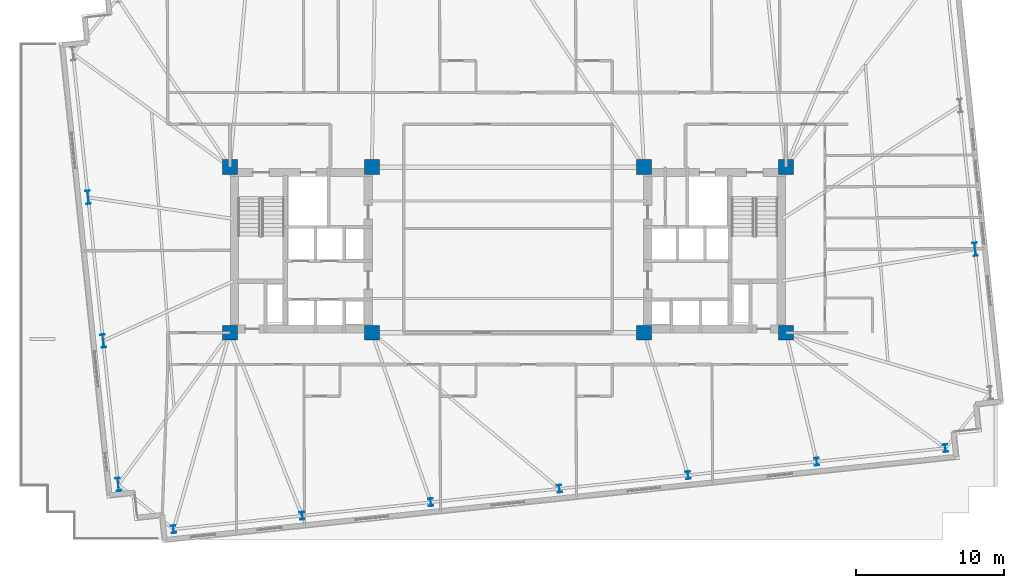
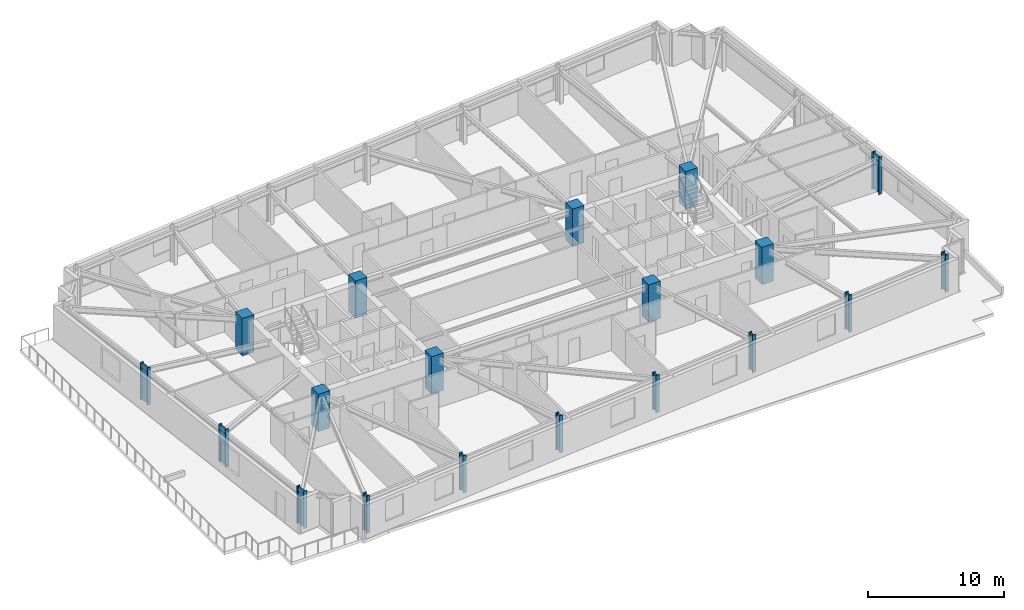
# One storey, part 1 of 20: 19 columns.
"""IFC4 building model written with IfcOpenShell, lengths in metres."""

import ifcopenshell
import ifcopenshell.guid

model = None  # the IFC model being written
_history = None  # IfcOwnerHistory: only IFC2X3 demands one
_inside = {}  # id of a spatial element -> (the spatial element, [elements in it])
_under = {}  # id of a project, library or spatial element -> (it, [spatial elements below it])
_declared = {}  # id of a project -> (the project, [libraries it declares])
_typed = {}  # id of a type object -> (the type object, [elements of that type])
_made_of = {}  # id of a material, layer set ... -> (it, [elements and type objects made of it])


def new_model(schema):
    """Start an empty IFC model of exactly this schema.

    Asked for "IFC4X3", IfcOpenShell would pick the latest addendum, in which some entities
    have other attributes; the version numbers below select the first issue.
    IFC2X3 requires an IfcOwnerHistory on every rooted entity: one is made here for all.
    """
    global model, _history
    if schema == "IFC4X3":
        model = ifcopenshell.file(schema_version=(4, 3, 0, 0))
    else:
        model = ifcopenshell.file(schema=schema)
    _inside.clear()
    _under.clear()
    _declared.clear()
    _typed.clear()
    _made_of.clear()
    _history = None
    if model.schema == "IFC2X3":
        org = make("IfcOrganization", Name="unknown")
        user = make(
            "IfcPersonAndOrganization",
            ThePerson=make("IfcPerson", FamilyName="unknown"),
            TheOrganization=org,
        )
        app = make(
            "IfcApplication",
            ApplicationDeveloper=org,
            Version="unknown",
            ApplicationFullName="unknown",
            ApplicationIdentifier="unknown",
        )
        _history = make(
            "IfcOwnerHistory",
            OwningUser=user,
            OwningApplication=app,
            ChangeAction="ADDED",
            CreationDate=0,
        )
    return model


def make(cls, **values):
    """One entity of the class cls with the attributes given. An attribute that is None is left unset."""
    return model.create_entity(
        cls, **{name: value for name, value in values.items() if value is not None}
    )


def rooted(cls, **values):
    """An entity with a GlobalId (a new one), such as an element, a storey or a relation."""
    return make(cls, GlobalId=ifcopenshell.guid.new(), OwnerHistory=_history, **values)


def si_unit(unit_type, name, prefix=None):
    """IfcSIUnit, for example si_unit("LENGTHUNIT", "METRE", prefix="MILLI")."""
    return make("IfcSIUnit", UnitType=unit_type, Prefix=prefix, Name=name)


def assignment(units):
    """IfcUnitAssignment: the units of a project."""
    return None if units is None else make("IfcUnitAssignment", Units=units)


def point(xyz):
    """IfcCartesianPoint."""
    return None if xyz is None else make("IfcCartesianPoint", Coordinates=xyz)


def direction(xyz):
    """IfcDirection."""
    return None if xyz is None else make("IfcDirection", DirectionRatios=xyz)


def frame(location, z_axis=None, x_axis=None):
    """IfcAxis2Placement3D, a coordinate frame: its origin and axes. An axis left out is left unset."""
    return make(
        "IfcAxis2Placement3D",
        Location=point(location),
        Axis=direction(z_axis),
        RefDirection=direction(x_axis),
    )


def frame_2d(location, x_axis=None):
    """IfcAxis2Placement2D, a coordinate frame in the plane: its origin and x axis."""
    return make(
        "IfcAxis2Placement2D", Location=point(location), RefDirection=direction(x_axis)
    )


def origin():
    """The frame at (0, 0, 0) with its axes left unset."""
    return frame((0.0, 0.0, 0.0))


def origin_2d():
    """The frame at (0, 0) in the plane with its x axis left unset."""
    return frame_2d((0.0, 0.0))


def place(relative_to, where):
    """IfcLocalPlacement: puts the frame where relative to a parent placement (None: the world)."""
    return make(
        "IfcLocalPlacement", PlacementRelTo=relative_to, RelativePlacement=where
    )


def context(
    kind, dimensions, precision=None, world=None, true_north=None, identifier=None
):
    """IfcGeometricRepresentationContext, for example the 3D "Model" context."""
    return make(
        "IfcGeometricRepresentationContext",
        ContextIdentifier=identifier,
        ContextType=kind,
        CoordinateSpaceDimension=dimensions,
        Precision=precision,
        WorldCoordinateSystem=world,
        TrueNorth=true_north,
    )


def subcontext(parent, identifier, kind, view, scale=None):
    """IfcGeometricRepresentationSubContext, for example "Body" below "Model"."""
    return make(
        "IfcGeometricRepresentationSubContext",
        ContextIdentifier=identifier,
        ContextType=kind,
        ParentContext=parent,
        TargetScale=scale,
        TargetView=view,
    )


def project(units=None, contexts=None):
    """IfcProject with its units and contexts."""
    return rooted(
        "IfcProject",
        Name="project",
        RepresentationContexts=contexts,
        UnitsInContext=assignment(units),
    )


def spatial(cls, under=None, at=None, **own):
    """A site, building, storey or space (cls), placed at a placement, below another one or the project."""
    s = rooted(cls, ObjectPlacement=at, **own)
    if under is not None:
        _under.setdefault(under.id(), (under, []))[1].append(s)
    return s


def profile(cls, at=None, kind="AREA", **sizes):
    """A parametric profile (cls). Its sizes go by their IFC names, for example OverallWidth=200.0."""
    return make(cls, ProfileType=kind, Position=at, **sizes)


def rectangle(**sizes):
    """IfcRectangleProfileDef."""
    return profile("IfcRectangleProfileDef", **sizes)


def i_section(**sizes):
    """IfcIShapeProfileDef."""
    return profile("IfcIShapeProfileDef", **sizes)


def extrude(swept, where, along, depth):
    """IfcExtrudedAreaSolid: the profile swept, set in the frame where, extruded along a direction by depth."""
    return make(
        "IfcExtrudedAreaSolid",
        SweptArea=swept,
        Position=where,
        ExtrudedDirection=direction(along),
        Depth=depth,
    )


def shape(context_of_items, identifier, shape_type, items):
    """IfcShapeRepresentation: the items that make up one representation, for example the "Body"."""
    return make(
        "IfcShapeRepresentation",
        ContextOfItems=context_of_items,
        RepresentationIdentifier=identifier,
        RepresentationType=shape_type,
        Items=items,
    )


def material(Name=None, Category=None):
    """IfcMaterial."""
    return make("IfcMaterial", Name=Name, Category=Category)


def material_profile(
    of_material, cross_section, Name=None, Category=None, Priority=None
):
    """IfcMaterialProfile: a cross section and its material."""
    return make(
        "IfcMaterialProfile",
        Name=Name,
        Material=of_material,
        Profile=cross_section,
        Priority=Priority,
        Category=Category,
    )


def profile_set(profiles, Name=None, composite=None):
    """IfcMaterialProfileSet."""
    return make(
        "IfcMaterialProfileSet",
        Name=Name,
        MaterialProfiles=profiles,
        CompositeProfile=composite,
    )


def made_of(thing, what):
    """Note that an element or type object is made of a material, layer set ...; save() writes the relation."""
    if what is not None:
        _made_of.setdefault(what.id(), (what, []))[1].append(thing)
    return thing


def type_object(cls, material=None, **own):
    """A type object (cls), such as IfcWallType, which elements share."""
    return made_of(rooted(cls, **own), material)


def element(
    cls,
    number,
    at=None,
    inside=None,
    cuts=None,
    type_object=None,
    material=None,
    context=None,
    identifier="Body",
    shape_type=None,
    held_by="IfcProductDefinitionShape",
    body=None,
    shapes=None,
    **own,
):
    """One element of the class cls, such as IfcWall. Its Tag is "e" and its number.

    at: its placement. inside: the storey or other place that contains it. cuts: it is an
    opening in that element (IfcRelVoidsElement). A single representation is given by context,
    identifier, shape_type and body (its items); several are given by shapes. held_by: the class
    of the entity that holds the representations. save() writes the other relations.
    """
    e = rooted(cls, Tag="e%d" % number, ObjectPlacement=at, **own)
    if body is not None:
        shapes = [shape(context, identifier, shape_type, body)]
    if shapes is not None:
        e.Representation = make(held_by, Representations=shapes)
    if inside is not None:
        _inside.setdefault(inside.id(), (inside, []))[1].append(e)
    if cuts is not None:
        rooted(
            "IfcRelVoidsElement", RelatingBuildingElement=cuts, RelatedOpeningElement=e
        )
    if type_object is not None:
        _typed.setdefault(type_object.id(), (type_object, []))[1].append(e)
    return made_of(e, material)


def aggregate(whole, parts):
    """IfcRelAggregates: a whole, such as a stair, and the parts it consists of."""
    return rooted("IfcRelAggregates", RelatingObject=whole, RelatedObjects=parts)


def save(model, path):
    """Write the relations noted so far, then the file.

    IfcRelAggregates (storeys below a building ...), IfcRelContainedInSpatialStructure (elements
    in a storey), IfcRelDefinesByType, IfcRelAssociatesMaterial and IfcRelDeclares: one each for
    every whole, place, type object, material and project.
    """
    for whole, parts in _under.values():
        aggregate(whole, parts)
    for where, things in _inside.values():
        rooted(
            "IfcRelContainedInSpatialStructure",
            RelatedElements=things,
            RelatingStructure=where,
        )
    for kind, things in _typed.values():
        rooted("IfcRelDefinesByType", RelatedObjects=things, RelatingType=kind)
    for what, things in _made_of.values():
        rooted("IfcRelAssociatesMaterial", RelatedObjects=things, RelatingMaterial=what)
    for by, libraries in _declared.values():
        rooted("IfcRelDeclares", RelatingContext=by, RelatedDefinitions=libraries)
    model.write(path)


model = new_model("IFC4")

# Units and contexts
model_context = context("Model", 3, precision=1e-05, world=origin(), true_north=direction((0.0, 1.0)))
body_context = subcontext(model_context, "Body", "Model", "MODEL_VIEW")
ifc_project = project(units=[si_unit("LENGTHUNIT", "METRE"), si_unit("AREAUNIT", "SQUARE_METRE"), si_unit("VOLUMEUNIT", "CUBIC_METRE"), si_unit("PLANEANGLEUNIT", "RADIAN"), si_unit("MASSUNIT", "GRAM", prefix="KILO")], contexts=[model_context])

# Site, building, storey
site_placement = place(None, origin())
site = spatial("IfcSite", under=ifc_project, at=site_placement, CompositionType="ELEMENT")
building_placement = place(site_placement, origin())
building = spatial("IfcBuilding", under=site, at=building_placement, Name="Qobustan Lattice House", CompositionType="ELEMENT")
storey_placement = place(building_placement, frame((0.0, 0.0, 79.0)))
storey = spatial("IfcBuildingStorey", under=building, at=storey_placement, Name="L21", CompositionType="ELEMENT", Elevation=79.0)

# Columns
ifc_material_1 = material(Name="Concrete C60/75", Category="concrete")
ifc_material_profile_1 = material_profile(ifc_material_1, rectangle(XDim=1.0, YDim=1.0, at=origin_2d()), Name="RC1000x1000")
ifc_profile_set_1 = profile_set([ifc_material_profile_1], Name="Concrete C60/75")
column_type_1 = type_object("IfcColumnType", Name="COL-RC-1000", PredefinedType="COLUMN", material=ifc_profile_set_1)
for number, where, z_axis, x_axis, name in (
    (1, (-18.800048828125, -5.60009765625, 0.0), (0.0, 0.0, 1.0), (1.0, 0.0, 0.0), "L21 core mega-column CW-SW"),
    (2, (-18.800048828125, 5.60009765625, 0.0), (0.0, 0.0, 1.0), (1.0, 0.0, 0.0), "L21 core mega-column CW-NW"),
    (3, (-9.199951171875, -5.60009765625, 0.0), (0.0, 0.0, 1.0), (1.0, 0.0, 0.0), "L21 core mega-column CW-SE"),
    (4, (-9.199951171875, 5.60009765625, 0.0), (0.0, 0.0, 1.0), (1.0, 0.0, 0.0), "L21 core mega-column CW-NE"),
    (5, (9.199951171875, -5.60009765625, 0.0), (0.0, 0.0, 1.0), (1.0, 0.0, 0.0), "L21 core mega-column CE-SW"),
    (6, (9.199951171875, 5.60009765625, 0.0), (0.0, 0.0, 1.0), (1.0, 0.0, 0.0), "L21 core mega-column CE-NW"),
    (7, (18.800048828125, -5.60009765625, 0.0), (0.0, 0.0, 1.0), (1.0, 0.0, 0.0), "L21 core mega-column CE-SE"),
    (8, (18.800048828125, 5.60009765625, 0.0), (0.0, 0.0, 1.0), (1.0, 0.0, 0.0), "L21 core mega-column CE-NE"),
):
    element("IfcColumn", number, at=place(storey_placement, frame(where, z_axis=z_axis, x_axis=x_axis)), inside=storey, type_object=column_type_1, Name=name, PredefinedType="COLUMN", context=body_context, shape_type="SweptSolid", body=[
        extrude(rectangle(XDim=1.0, YDim=1.0, at=origin_2d()), origin(), (0.0, 0.0, 1.0), 3.35009765625),
    ])
ifc_material_2 = material(Name="Steel S355", Category="steel")
ifc_material_profile_2 = material_profile(ifc_material_2, i_section(OverallWidth=0.300048828125, OverallDepth=0.89990234375, WebThickness=0.0185546875, FlangeThickness=0.034912109375, FilletRadius=0.030029296875, at=origin_2d()), Name="HEB900")
ifc_profile_set_2 = profile_set([ifc_material_profile_2], Name="Steel S355")
column_type_2 = type_object("IfcColumnType", Name="COL-ST-HEB900", PredefinedType="COLUMN", material=ifc_profile_set_2)
for number, where, z_axis, x_axis, name in (
    (9, (31.597900390625, 0.042724609375, 0.0), (0.0, 0.0, 1.0), (0.994521895368, 0.104528463268, 0.0), "L21 B2 perimeter column E2"),
    (10, (-28.39794921875, 3.557373046875, 0.0), (0.0, 0.0, 1.0), (0.994521895368, 0.104528463268, 0.0), "L21 B2 perimeter column W2"),
    (11, (-27.377197265625, -6.156005859375, 0.0), (0.0, 0.0, 1.0), (0.994521895368, 0.104528463268, 0.0), "L21 B2 perimeter column W3"),
    (12, (-26.356201171875, -15.868896484375, 0.0), (0.0, 0.0, 1.0), (0.994521895368, 0.104528463268, 0.0), "L21 B2 perimeter column W4"),
):
    element("IfcColumn", number, at=place(storey_placement, frame(where, z_axis=z_axis, x_axis=x_axis)), inside=storey, type_object=column_type_2, Name=name, PredefinedType="COLUMN", context=body_context, shape_type="SweptSolid", body=[
        extrude(i_section(OverallWidth=0.300048828125, OverallDepth=0.89990234375, WebThickness=0.0185546875, FlangeThickness=0.034912109375, FilletRadius=0.030029296875, at=origin_2d()), origin(), (0.0, 0.0, 1.0), 3.35009765625),
    ])
ifc_material_3 = material(Name="Steel S355", Category="steel")
ifc_material_profile_3 = material_profile(ifc_material_3, i_section(OverallWidth=0.305908203125, OverallDepth=0.52392578125, WebThickness=0.02099609375, FlangeThickness=0.0400390625, FilletRadius=0.027099609375, at=origin_2d()), Name="HEM500")
ifc_profile_set_3 = profile_set([ifc_material_profile_3], Name="Steel S355")
column_type_3 = type_object("IfcColumnType", Name="COL-ST-HEM500", PredefinedType="COLUMN", material=ifc_profile_set_3)
for number, where, z_axis, x_axis, name in (
    (13, (-22.619384765625, -18.89501953125, 0.0), (0.0, 0.0, 1.0), (0.994521895368, 0.104528463268, 0.0), "L21 B2 perimeter column S1"),
    (14, (-13.91748046875, -17.98046875, 0.0), (0.0, 0.0, 1.0), (0.994521895368, 0.104528463268, 0.0), "L21 B2 perimeter column S2"),
    (15, (-5.21533203125, -17.065673828125, 0.0), (0.0, 0.0, 1.0), (0.994521895368, 0.104528463268, 0.0), "L21 B2 perimeter column S3"),
    (16, (3.48681640625, -16.151123046875, 0.0), (0.0, 0.0, 1.0), (0.994521895368, 0.104528463268, 0.0), "L21 B2 perimeter column S4"),
    (17, (12.188720703125, -15.236572265625, 0.0), (0.0, 0.0, 1.0), (0.994521895368, 0.104528463268, 0.0), "L21 B2 perimeter column S5"),
    (18, (20.890869140625, -14.322021484375, 0.0), (0.0, 0.0, 1.0), (0.994521895368, 0.104528463268, 0.0), "L21 B2 perimeter column S6"),
    (19, (29.593017578125, -13.4072265625, 0.0), (0.0, 0.0, 1.0), (0.994521895368, 0.104528463268, 0.0), "L21 B2 perimeter column S7"),
):
    element("IfcColumn", number, at=place(storey_placement, frame(where, z_axis=z_axis, x_axis=x_axis)), inside=storey, type_object=column_type_3, Name=name, PredefinedType="COLUMN", context=body_context, shape_type="SweptSolid", body=[
        extrude(i_section(OverallWidth=0.305908203125, OverallDepth=0.52392578125, WebThickness=0.02099609375, FlangeThickness=0.0400390625, FilletRadius=0.027099609375, at=origin_2d()), origin(), (0.0, 0.0, 1.0), 3.35009765625),
    ])

save(model, "model.ifc")
